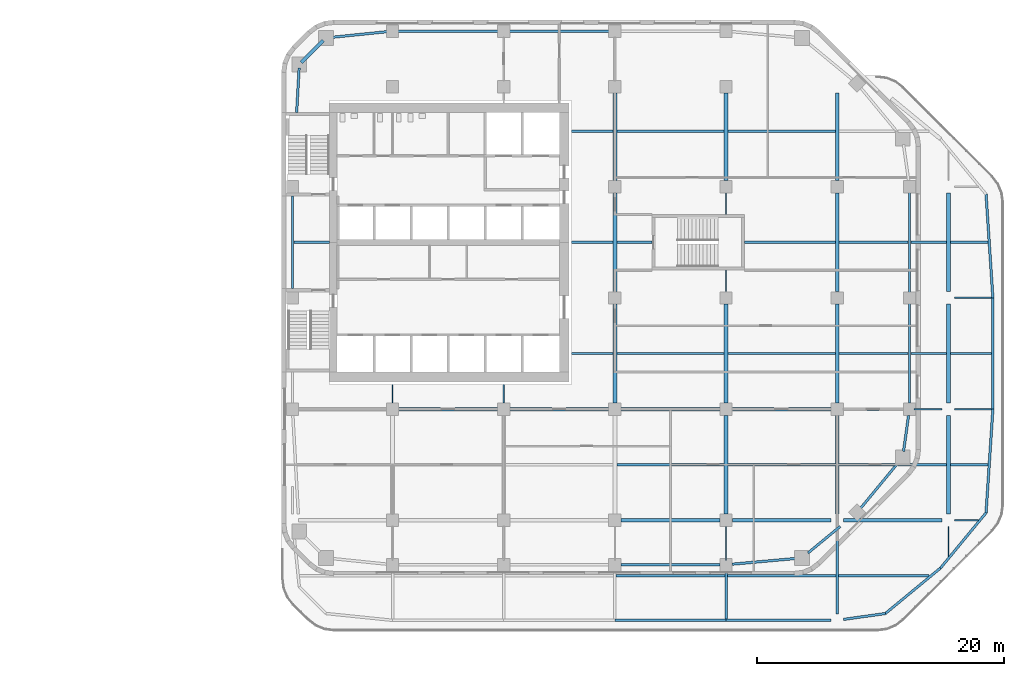
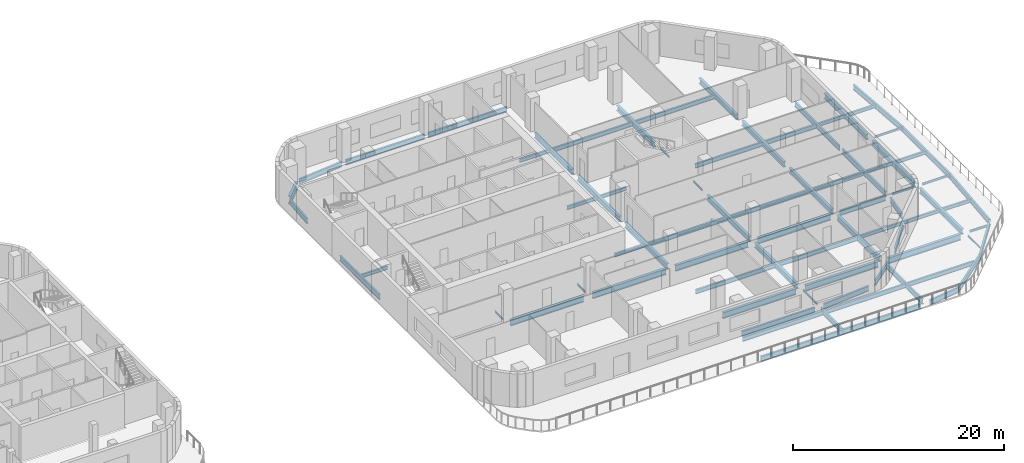
# One storey, part 3 of 15: 78 beams.
"""IFC4 building model written with IfcOpenShell, lengths in metres."""

import ifcopenshell
import ifcopenshell.guid

model = None  # the IFC model being written
_history = None  # IfcOwnerHistory: only IFC2X3 demands one
_inside = {}  # id of a spatial element -> (the spatial element, [elements in it])
_under = {}  # id of a project, library or spatial element -> (it, [spatial elements below it])
_declared = {}  # id of a project -> (the project, [libraries it declares])
_typed = {}  # id of a type object -> (the type object, [elements of that type])
_made_of = {}  # id of a material, layer set ... -> (it, [elements and type objects made of it])


def new_model(schema):
    """Start an empty IFC model of exactly this schema.

    Asked for "IFC4X3", IfcOpenShell would pick the latest addendum, in which some entities
    have other attributes; the version numbers below select the first issue.
    IFC2X3 requires an IfcOwnerHistory on every rooted entity: one is made here for all.
    """
    global model, _history
    if schema == "IFC4X3":
        model = ifcopenshell.file(schema_version=(4, 3, 0, 0))
    else:
        model = ifcopenshell.file(schema=schema)
    _inside.clear()
    _under.clear()
    _declared.clear()
    _typed.clear()
    _made_of.clear()
    _history = None
    if model.schema == "IFC2X3":
        org = make("IfcOrganization", Name="unknown")
        user = make(
            "IfcPersonAndOrganization",
            ThePerson=make("IfcPerson", FamilyName="unknown"),
            TheOrganization=org,
        )
        app = make(
            "IfcApplication",
            ApplicationDeveloper=org,
            Version="unknown",
            ApplicationFullName="unknown",
            ApplicationIdentifier="unknown",
        )
        _history = make(
            "IfcOwnerHistory",
            OwningUser=user,
            OwningApplication=app,
            ChangeAction="ADDED",
            CreationDate=0,
        )
    return model


def make(cls, **values):
    """One entity of the class cls with the attributes given. An attribute that is None is left unset."""
    return model.create_entity(
        cls, **{name: value for name, value in values.items() if value is not None}
    )


def rooted(cls, **values):
    """An entity with a GlobalId (a new one), such as an element, a storey or a relation."""
    return make(cls, GlobalId=ifcopenshell.guid.new(), OwnerHistory=_history, **values)


def si_unit(unit_type, name, prefix=None):
    """IfcSIUnit, for example si_unit("LENGTHUNIT", "METRE", prefix="MILLI")."""
    return make("IfcSIUnit", UnitType=unit_type, Prefix=prefix, Name=name)


def assignment(units):
    """IfcUnitAssignment: the units of a project."""
    return None if units is None else make("IfcUnitAssignment", Units=units)


def point(xyz):
    """IfcCartesianPoint."""
    return None if xyz is None else make("IfcCartesianPoint", Coordinates=xyz)


def direction(xyz):
    """IfcDirection."""
    return None if xyz is None else make("IfcDirection", DirectionRatios=xyz)


def frame(location, z_axis=None, x_axis=None):
    """IfcAxis2Placement3D, a coordinate frame: its origin and axes. An axis left out is left unset."""
    return make(
        "IfcAxis2Placement3D",
        Location=point(location),
        Axis=direction(z_axis),
        RefDirection=direction(x_axis),
    )


def frame_2d(location, x_axis=None):
    """IfcAxis2Placement2D, a coordinate frame in the plane: its origin and x axis."""
    return make(
        "IfcAxis2Placement2D", Location=point(location), RefDirection=direction(x_axis)
    )


def origin():
    """The frame at (0, 0, 0) with its axes left unset."""
    return frame((0.0, 0.0, 0.0))


def origin_2d():
    """The frame at (0, 0) in the plane with its x axis left unset."""
    return frame_2d((0.0, 0.0))


def place(relative_to, where):
    """IfcLocalPlacement: puts the frame where relative to a parent placement (None: the world)."""
    return make(
        "IfcLocalPlacement", PlacementRelTo=relative_to, RelativePlacement=where
    )


def context(
    kind, dimensions, precision=None, world=None, true_north=None, identifier=None
):
    """IfcGeometricRepresentationContext, for example the 3D "Model" context."""
    return make(
        "IfcGeometricRepresentationContext",
        ContextIdentifier=identifier,
        ContextType=kind,
        CoordinateSpaceDimension=dimensions,
        Precision=precision,
        WorldCoordinateSystem=world,
        TrueNorth=true_north,
    )


def subcontext(parent, identifier, kind, view, scale=None):
    """IfcGeometricRepresentationSubContext, for example "Body" below "Model"."""
    return make(
        "IfcGeometricRepresentationSubContext",
        ContextIdentifier=identifier,
        ContextType=kind,
        ParentContext=parent,
        TargetScale=scale,
        TargetView=view,
    )


def project(units=None, contexts=None):
    """IfcProject with its units and contexts."""
    return rooted(
        "IfcProject",
        Name="project",
        RepresentationContexts=contexts,
        UnitsInContext=assignment(units),
    )


def spatial(cls, under=None, at=None, **own):
    """A site, building, storey or space (cls), placed at a placement, below another one or the project."""
    s = rooted(cls, ObjectPlacement=at, **own)
    if under is not None:
        _under.setdefault(under.id(), (under, []))[1].append(s)
    return s


def profile(cls, at=None, kind="AREA", **sizes):
    """A parametric profile (cls). Its sizes go by their IFC names, for example OverallWidth=200.0."""
    return make(cls, ProfileType=kind, Position=at, **sizes)


def i_section(**sizes):
    """IfcIShapeProfileDef."""
    return profile("IfcIShapeProfileDef", **sizes)


def extrude(swept, where, along, depth):
    """IfcExtrudedAreaSolid: the profile swept, set in the frame where, extruded along a direction by depth."""
    return make(
        "IfcExtrudedAreaSolid",
        SweptArea=swept,
        Position=where,
        ExtrudedDirection=direction(along),
        Depth=depth,
    )


def shape(context_of_items, identifier, shape_type, items):
    """IfcShapeRepresentation: the items that make up one representation, for example the "Body"."""
    return make(
        "IfcShapeRepresentation",
        ContextOfItems=context_of_items,
        RepresentationIdentifier=identifier,
        RepresentationType=shape_type,
        Items=items,
    )


def material(Name=None, Category=None):
    """IfcMaterial."""
    return make("IfcMaterial", Name=Name, Category=Category)


def material_profile(
    of_material, cross_section, Name=None, Category=None, Priority=None
):
    """IfcMaterialProfile: a cross section and its material."""
    return make(
        "IfcMaterialProfile",
        Name=Name,
        Material=of_material,
        Profile=cross_section,
        Priority=Priority,
        Category=Category,
    )


def profile_set(profiles, Name=None, composite=None):
    """IfcMaterialProfileSet."""
    return make(
        "IfcMaterialProfileSet",
        Name=Name,
        MaterialProfiles=profiles,
        CompositeProfile=composite,
    )


def made_of(thing, what):
    """Note that an element or type object is made of a material, layer set ...; save() writes the relation."""
    if what is not None:
        _made_of.setdefault(what.id(), (what, []))[1].append(thing)
    return thing


def type_object(cls, material=None, **own):
    """A type object (cls), such as IfcWallType, which elements share."""
    return made_of(rooted(cls, **own), material)


def element(
    cls,
    number,
    at=None,
    inside=None,
    cuts=None,
    type_object=None,
    material=None,
    context=None,
    identifier="Body",
    shape_type=None,
    held_by="IfcProductDefinitionShape",
    body=None,
    shapes=None,
    **own,
):
    """One element of the class cls, such as IfcWall. Its Tag is "e" and its number.

    at: its placement. inside: the storey or other place that contains it. cuts: it is an
    opening in that element (IfcRelVoidsElement). A single representation is given by context,
    identifier, shape_type and body (its items); several are given by shapes. held_by: the class
    of the entity that holds the representations. save() writes the other relations.
    """
    e = rooted(cls, Tag="e%d" % number, ObjectPlacement=at, **own)
    if body is not None:
        shapes = [shape(context, identifier, shape_type, body)]
    if shapes is not None:
        e.Representation = make(held_by, Representations=shapes)
    if inside is not None:
        _inside.setdefault(inside.id(), (inside, []))[1].append(e)
    if cuts is not None:
        rooted(
            "IfcRelVoidsElement", RelatingBuildingElement=cuts, RelatedOpeningElement=e
        )
    if type_object is not None:
        _typed.setdefault(type_object.id(), (type_object, []))[1].append(e)
    return made_of(e, material)


def aggregate(whole, parts):
    """IfcRelAggregates: a whole, such as a stair, and the parts it consists of."""
    return rooted("IfcRelAggregates", RelatingObject=whole, RelatedObjects=parts)


def save(model, path):
    """Write the relations noted so far, then the file.

    IfcRelAggregates (storeys below a building ...), IfcRelContainedInSpatialStructure (elements
    in a storey), IfcRelDefinesByType, IfcRelAssociatesMaterial and IfcRelDeclares: one each for
    every whole, place, type object, material and project.
    """
    for whole, parts in _under.values():
        aggregate(whole, parts)
    for where, things in _inside.values():
        rooted(
            "IfcRelContainedInSpatialStructure",
            RelatedElements=things,
            RelatingStructure=where,
        )
    for kind, things in _typed.values():
        rooted("IfcRelDefinesByType", RelatedObjects=things, RelatingType=kind)
    for what, things in _made_of.values():
        rooted("IfcRelAssociatesMaterial", RelatedObjects=things, RelatingMaterial=what)
    for by, libraries in _declared.values():
        rooted("IfcRelDeclares", RelatingContext=by, RelatedDefinitions=libraries)
    model.write(path)


model = new_model("IFC4")

# Units and contexts
model_context = context("Model", 3, precision=1e-05, world=origin(), true_north=direction((0.0, 1.0)))
body_context = subcontext(model_context, "Body", "Model", "MODEL_VIEW")
ifc_project = project(units=[si_unit("LENGTHUNIT", "METRE"), si_unit("AREAUNIT", "SQUARE_METRE"), si_unit("VOLUMEUNIT", "CUBIC_METRE"), si_unit("PLANEANGLEUNIT", "RADIAN"), si_unit("MASSUNIT", "GRAM", prefix="KILO")], contexts=[model_context])

# Site, building, storey
site_placement = place(None, origin())
site = spatial("IfcSite", under=ifc_project, at=site_placement, CompositionType="ELEMENT")
building_placement = place(site_placement, origin())
building = spatial("IfcBuilding", under=site, at=building_placement, Name="Cinnabar Reach Civic Tower", CompositionType="ELEMENT")
storey_placement = place(building_placement, frame((0.0, 0.0, 100.0)))
storey = spatial("IfcBuildingStorey", under=building, at=storey_placement, Name="L23", CompositionType="ELEMENT", Elevation=100.0)

# Beams
ifc_material = material(Name="Steel Q355B", Category="steel")
ifc_material_profile_1 = material_profile(ifc_material, i_section(OverallWidth=0.302, OverallDepth=0.594, WebThickness=0.014, FlangeThickness=0.023, FilletRadius=0.016, at=origin_2d()), Name="HM594x302x14x23")
ifc_profile_set_1 = profile_set([ifc_material_profile_1], Name="Steel Q355B")
beam_type_1 = type_object("IfcBeamType", Name="HM594x302x14x23 beam R 180", PredefinedType="BEAM", material=ifc_profile_set_1)
for number, where, z_axis, x_axis, name in (
    (1, (27.0, 18.502, -0.447), (0.0, 1.0, 0.0), (-1.0, 0.0, 0.0), "Girder T1 L23 12"),
    (2, (27.0, 27.502, -0.447), (0.0, 1.0, 0.0), (-1.0, 0.0, 0.0), "Girder T1 L23 13"),
):
    element("IfcBeam", number, at=place(storey_placement, frame(where, z_axis=z_axis, x_axis=x_axis)), inside=storey, type_object=beam_type_1, Name=name, PredefinedType="BEAM", context=body_context, shape_type="SweptSolid", body=[
        extrude(i_section(OverallWidth=0.302, OverallDepth=0.594, WebThickness=0.014, FlangeThickness=0.023, FilletRadius=0.016, at=origin_2d()), origin(), (0.0, 0.0, 1.0), 7.996),
    ])
beam_1_placement = place(storey_placement, frame((27.0, 36.502, -0.447), z_axis=(0.0, 1.0, 0.0), x_axis=(-1.0, 0.0, 0.0)))
element("IfcBeam", 3, at=beam_1_placement, inside=storey, type_object=beam_type_1, Name="Girder T1 L23 14", PredefinedType="BEAM", context=body_context, shape_type="SweptSolid", body=[
    extrude(i_section(OverallWidth=0.302, OverallDepth=0.594, WebThickness=0.014, FlangeThickness=0.023, FilletRadius=0.016, at=origin_2d()), origin(), (0.0, 0.0, 1.0), 7.096),
])
for number, where, z_axis, x_axis, name in (
    (4, (36.0, 9.502, -0.447), (0.0, 1.0, 0.0), (-1.0, 0.0, 0.0), "Girder T1 L23 17"),
    (5, (36.0, 18.502, -0.447), (0.0, 1.0, 0.0), (-1.0, 0.0, 0.0), "Girder T1 L23 18"),
):
    element("IfcBeam", number, at=place(storey_placement, frame(where, z_axis=z_axis, x_axis=x_axis)), inside=storey, type_object=beam_type_1, Name=name, PredefinedType="BEAM", context=body_context, shape_type="SweptSolid", body=[
        extrude(i_section(OverallWidth=0.302, OverallDepth=0.594, WebThickness=0.014, FlangeThickness=0.023, FilletRadius=0.016, at=origin_2d()), origin(), (0.0, 0.0, 1.0), 7.996),
    ])
beam_2_placement = place(storey_placement, frame((36.0, 36.502, -0.447), z_axis=(0.0, 1.0, 0.0), x_axis=(-1.0, 0.0, 0.0)))
element("IfcBeam", 6, at=beam_2_placement, inside=storey, type_object=beam_type_1, Name="Girder T1 L23 21", PredefinedType="BEAM", context=body_context, shape_type="SweptSolid", body=[
    extrude(i_section(OverallWidth=0.302, OverallDepth=0.594, WebThickness=0.014, FlangeThickness=0.023, FilletRadius=0.016, at=origin_2d()), origin(), (0.0, 0.0, 1.0), 7.096),
])
for number, where, z_axis, x_axis, name in (
    (7, (45.0, 9.502, -0.447), (0.0, 1.0, 0.0), (-1.0, 0.0, 0.0), "Girder T1 L23 23"),
    (8, (45.0, 18.502, -0.447), (0.0, 1.0, 0.0), (-1.0, 0.0, 0.0), "Girder T1 L23 24"),
    (9, (45.0, 27.502, -0.447), (0.0, 1.0, 0.0), (-1.0, 0.0, 0.0), "Girder T1 L23 25"),
):
    element("IfcBeam", number, at=place(storey_placement, frame(where, z_axis=z_axis, x_axis=x_axis)), inside=storey, type_object=beam_type_1, Name=name, PredefinedType="BEAM", context=body_context, shape_type="SweptSolid", body=[
        extrude(i_section(OverallWidth=0.302, OverallDepth=0.594, WebThickness=0.014, FlangeThickness=0.023, FilletRadius=0.016, at=origin_2d()), origin(), (0.0, 0.0, 1.0), 7.996),
    ])
beam_3_placement = place(storey_placement, frame((45.0, 36.502, -0.447), z_axis=(0.0, 1.0, 0.0), x_axis=(-1.0, 0.0, 0.0)))
element("IfcBeam", 10, at=beam_3_placement, inside=storey, type_object=beam_type_1, Name="Girder T1 L23 26", PredefinedType="BEAM", context=body_context, shape_type="SweptSolid", body=[
    extrude(i_section(OverallWidth=0.302, OverallDepth=0.594, WebThickness=0.014, FlangeThickness=0.023, FilletRadius=0.016, at=origin_2d()), origin(), (0.0, 0.0, 1.0), 7.096),
])
for number, where, z_axis, x_axis, name in (
    (11, (54.0, 9.502, -0.447), (0.0, 1.0, 0.0), (-1.0, 0.0, 0.0), "Girder T1 L23 28"),
    (12, (54.0, 18.502, -0.447), (0.0, 1.0, 0.0), (-1.0, 0.0, 0.0), "Girder T1 L23 29"),
    (13, (54.0, 27.502, -0.447), (0.0, 1.0, 0.0), (-1.0, 0.0, 0.0), "Girder T1 L23 30"),
):
    element("IfcBeam", number, at=place(storey_placement, frame(where, z_axis=z_axis, x_axis=x_axis)), inside=storey, type_object=beam_type_1, Name=name, PredefinedType="BEAM", context=body_context, shape_type="SweptSolid", body=[
        extrude(i_section(OverallWidth=0.302, OverallDepth=0.594, WebThickness=0.014, FlangeThickness=0.023, FilletRadius=0.016, at=origin_2d()), origin(), (0.0, 0.0, 1.0), 7.996),
    ])
ifc_material_profile_2 = material_profile(ifc_material, i_section(OverallWidth=0.099, OverallDepth=0.198, WebThickness=0.0045, FlangeThickness=0.007, FilletRadius=0.013, at=origin_2d()), Name="HN200x100x5.5x8")
ifc_profile_set_2 = profile_set([ifc_material_profile_2], Name="Steel Q355B")
beam_type_2 = type_object("IfcBeamType", Name="HN200x100x5.5x8 beam R 180", PredefinedType="BEAM", material=ifc_profile_set_2)
for number, where, z_axis, x_axis, name in (
    (14, (9.0, 18.502, -0.249), (0.0, 1.0, 0.0), (-1.0, 0.0, 0.0), "Girder T1 L23 4"),
    (15, (18.0, 18.502, -0.249), (0.0, 1.0, 0.0), (-1.0, 0.0, 0.0), "Girder T1 L23 8"),
):
    element("IfcBeam", number, at=place(storey_placement, frame(where, z_axis=z_axis, x_axis=x_axis)), inside=storey, type_object=beam_type_2, Name=name, PredefinedType="BEAM", context=body_context, shape_type="SweptSolid", body=[
        extrude(i_section(OverallWidth=0.099, OverallDepth=0.198, WebThickness=0.0045, FlangeThickness=0.007, FilletRadius=0.013, at=origin_2d()), origin(), (0.0, 0.0, 1.0), 1.496),
    ])
beam_4_placement = place(storey_placement, frame((36.0, 5.752, -0.249), z_axis=(0.0, 1.0, 0.0), x_axis=(-1.0, 0.0, 0.0)))
element("IfcBeam", 16, at=beam_4_placement, inside=storey, type_object=beam_type_2, Name="Girder T1 L23 16", PredefinedType="BEAM", context=body_context, shape_type="SweptSolid", body=[
    extrude(i_section(OverallWidth=0.099, OverallDepth=0.198, WebThickness=0.0045, FlangeThickness=0.007, FilletRadius=0.013, at=origin_2d()), origin(), (0.0, 0.0, 1.0), 2.746),
])
for number, where, z_axis, x_axis, name in (
    (17, (36.0, 27.502, -0.249), (0.0, 1.0, 0.0), (-1.0, 0.0, 0.0), "Girder T1 L23 19"),
    (18, (36.0, 33.752, -0.249), (0.0, 1.0, 0.0), (-1.0, 0.0, 0.0), "Girder T1 L23 20"),
):
    element("IfcBeam", number, at=place(storey_placement, frame(where, z_axis=z_axis, x_axis=x_axis)), inside=storey, type_object=beam_type_2, Name=name, PredefinedType="BEAM", context=body_context, shape_type="SweptSolid", body=[
        extrude(i_section(OverallWidth=0.099, OverallDepth=0.198, WebThickness=0.0045, FlangeThickness=0.007, FilletRadius=0.013, at=origin_2d()), origin(), (0.0, 0.0, 1.0), 1.746),
    ])
beam_5_placement = place(storey_placement, frame((54.0, 6.0682, -0.249), z_axis=(0.0, 1.0, 0.0), x_axis=(-1.0, 0.0, 0.0)))
element("IfcBeam", 19, at=beam_5_placement, inside=storey, type_object=beam_type_2, Name="Girder T1 L23 27", PredefinedType="BEAM", context=body_context, shape_type="SweptSolid", body=[
    extrude(i_section(OverallWidth=0.099, OverallDepth=0.198, WebThickness=0.0045, FlangeThickness=0.007, FilletRadius=0.013, at=origin_2d()), origin(), (0.0, 0.0, 1.0), 2.4298),
])
ifc_material_profile_3 = material_profile(ifc_material, i_section(OverallWidth=0.124, OverallDepth=0.248, WebThickness=0.005, FlangeThickness=0.008, FilletRadius=0.013, at=origin_2d()), Name="HN250x125x6x9")
ifc_profile_set_3 = profile_set([ifc_material_profile_3], Name="Steel Q355B")
beam_type_3 = type_object("IfcBeamType", Name="HN250x125x6x9 beam R 180", PredefinedType="BEAM", material=ifc_profile_set_3)
beam_6_placement = place(storey_placement, frame((54.502, 9.0, -0.274), z_axis=(1.0, 0.0, 0.0), x_axis=(0.0, 1.0, 0.0)))
element("IfcBeam", 20, at=beam_6_placement, inside=storey, type_object=beam_type_3, Name="Girder T1 L23 7", PredefinedType="BEAM", context=body_context, shape_type="SweptSolid", body=[
    extrude(i_section(OverallWidth=0.124, OverallDepth=0.248, WebThickness=0.005, FlangeThickness=0.008, FilletRadius=0.013, at=origin_2d()), origin(), (0.0, 0.0, 1.0), 1.9162),
])
beam_7_placement = place(storey_placement, frame((51.202, 18.0, -0.274), z_axis=(1.0, 0.0, 0.0), x_axis=(0.0, 1.0, 0.0)))
element("IfcBeam", 21, at=beam_7_placement, inside=storey, type_object=beam_type_3, Name="Girder T1 L23 14", PredefinedType="BEAM", context=body_context, shape_type="SweptSolid", body=[
    extrude(i_section(OverallWidth=0.124, OverallDepth=0.248, WebThickness=0.005, FlangeThickness=0.008, FilletRadius=0.013, at=origin_2d()), origin(), (0.0, 0.0, 1.0), 2.296),
])
for number, where, z_axis, x_axis, name in (
    (22, (54.502, 18.0, -0.274), (1.0, 0.0, 0.0), (0.0, 1.0, 0.0), "Girder T1 L23 15"),
    (23, (54.502, 27.0, -0.274), (1.0, 0.0, 0.0), (0.0, 1.0, 0.0), "Girder T1 L23 16"),
):
    element("IfcBeam", number, at=place(storey_placement, frame(where, z_axis=z_axis, x_axis=x_axis)), inside=storey, type_object=beam_type_3, Name=name, PredefinedType="BEAM", context=body_context, shape_type="SweptSolid", body=[
        extrude(i_section(OverallWidth=0.124, OverallDepth=0.248, WebThickness=0.005, FlangeThickness=0.008, FilletRadius=0.013, at=origin_2d()), origin(), (0.0, 0.0, 1.0), 2.9958),
    ])
ifc_material_profile_4 = material_profile(ifc_material, i_section(OverallWidth=0.199, OverallDepth=0.396, WebThickness=0.007, FlangeThickness=0.011, FilletRadius=0.013, at=origin_2d()), Name="HN396x199x7x11")
ifc_profile_set_4 = profile_set([ifc_material_profile_4], Name="Steel Q355B")
beam_type_4 = type_object("IfcBeamType", Name="HN396x199x7x11 beam R 180", PredefinedType="BEAM", material=ifc_profile_set_4)
beam_8_placement = place(storey_placement, frame((45.153, 13.5, -0.348), z_axis=(1.0, 0.0, 0.0), x_axis=(0.0, 1.0, 0.0)))
element("IfcBeam", 24, at=beam_8_placement, inside=storey, type_object=beam_type_4, Name="Secondary beam T1 L23 12", PredefinedType="BEAM", context=body_context, shape_type="SweptSolid", body=[
    extrude(i_section(OverallWidth=0.199, OverallDepth=0.396, WebThickness=0.007, FlangeThickness=0.011, FilletRadius=0.013, at=origin_2d()), origin(), (0.0, 0.0, 1.0), 4.5152),
])
beam_9_placement = place(storey_placement, frame((49.9327, 13.5, -0.348), z_axis=(1.0, 0.0, 0.0), x_axis=(0.0, 1.0, 0.0)))
element("IfcBeam", 25, at=beam_9_placement, inside=storey, type_object=beam_type_4, Name="Secondary beam T1 L23 13", PredefinedType="BEAM", context=body_context, shape_type="SweptSolid", body=[
    extrude(i_section(OverallWidth=0.199, OverallDepth=0.396, WebThickness=0.007, FlangeThickness=0.011, FilletRadius=0.013, at=origin_2d()), origin(), (0.0, 0.0, 1.0), 3.9143),
])
beam_10_placement = place(storey_placement, frame((54.153, 13.5, -0.348), z_axis=(1.0, 0.0, 0.0), x_axis=(0.0, 1.0, 0.0)))
element("IfcBeam", 26, at=beam_10_placement, inside=storey, type_object=beam_type_4, Name="Secondary beam T1 L23 14", PredefinedType="BEAM", context=body_context, shape_type="SweptSolid", body=[
    extrude(i_section(OverallWidth=0.199, OverallDepth=0.396, WebThickness=0.007, FlangeThickness=0.011, FilletRadius=0.013, at=origin_2d()), origin(), (0.0, 0.0, 1.0), 3.0484),
])
beam_11_placement = place(storey_placement, frame((23.502, 22.5, -0.348), z_axis=(1.0, 0.0, 0.0), x_axis=(0.0, 1.0, 0.0)))
element("IfcBeam", 27, at=beam_11_placement, inside=storey, type_object=beam_type_4, Name="Secondary beam T1 L23 15", PredefinedType="BEAM", context=body_context, shape_type="SweptSolid", body=[
    extrude(i_section(OverallWidth=0.199, OverallDepth=0.396, WebThickness=0.007, FlangeThickness=0.011, FilletRadius=0.013, at=origin_2d()), origin(), (0.0, 0.0, 1.0), 3.345),
])
beam_12_placement = place(storey_placement, frame((50.952, 22.5, -0.348), z_axis=(1.0, 0.0, 0.0), x_axis=(0.0, 1.0, 0.0)))
element("IfcBeam", 28, at=beam_12_placement, inside=storey, type_object=beam_type_4, Name="Secondary beam T1 L23 19", PredefinedType="BEAM", context=body_context, shape_type="SweptSolid", body=[
    extrude(i_section(OverallWidth=0.199, OverallDepth=0.396, WebThickness=0.007, FlangeThickness=0.011, FilletRadius=0.013, at=origin_2d()), origin(), (0.0, 0.0, 1.0), 2.895),
])
beam_13_placement = place(storey_placement, frame((54.153, 22.5, -0.348), z_axis=(1.0, 0.0, 0.0), x_axis=(0.0, 1.0, 0.0)))
element("IfcBeam", 29, at=beam_13_placement, inside=storey, type_object=beam_type_4, Name="Secondary beam T1 L23 20", PredefinedType="BEAM", context=body_context, shape_type="SweptSolid", body=[
    extrude(i_section(OverallWidth=0.199, OverallDepth=0.396, WebThickness=0.007, FlangeThickness=0.011, FilletRadius=0.013, at=origin_2d()), origin(), (0.0, 0.0, 1.0), 3.345),
])
beam_14_placement = place(storey_placement, frame((1.002, 31.5, -0.348), z_axis=(1.0, 0.0, 0.0), x_axis=(0.0, 1.0, 0.0)))
element("IfcBeam", 30, at=beam_14_placement, inside=storey, type_object=beam_type_4, Name="Secondary beam T1 L23 21", PredefinedType="BEAM", context=body_context, shape_type="SweptSolid", body=[
    extrude(i_section(OverallWidth=0.199, OverallDepth=0.396, WebThickness=0.007, FlangeThickness=0.011, FilletRadius=0.013, at=origin_2d()), origin(), (0.0, 0.0, 1.0), 2.896),
])
beam_15_placement = place(storey_placement, frame((23.502, 31.5, -0.348), z_axis=(1.0, 0.0, 0.0), x_axis=(0.0, 1.0, 0.0)))
element("IfcBeam", 31, at=beam_15_placement, inside=storey, type_object=beam_type_4, Name="Secondary beam T1 L23 22", PredefinedType="BEAM", context=body_context, shape_type="SweptSolid", body=[
    extrude(i_section(OverallWidth=0.199, OverallDepth=0.396, WebThickness=0.007, FlangeThickness=0.011, FilletRadius=0.013, at=origin_2d()), origin(), (0.0, 0.0, 1.0), 3.345),
])
beam_16_placement = place(storey_placement, frame((27.153, 31.5, -0.348), z_axis=(1.0, 0.0, 0.0), x_axis=(0.0, 1.0, 0.0)))
element("IfcBeam", 32, at=beam_16_placement, inside=storey, type_object=beam_type_4, Name="Secondary beam T1 L23 23", PredefinedType="BEAM", context=body_context, shape_type="SweptSolid", body=[
    extrude(i_section(OverallWidth=0.199, OverallDepth=0.396, WebThickness=0.007, FlangeThickness=0.011, FilletRadius=0.013, at=origin_2d()), origin(), (0.0, 0.0, 1.0), 2.845),
])
beam_17_placement = place(storey_placement, frame((50.952, 31.5, -0.348), z_axis=(1.0, 0.0, 0.0), x_axis=(0.0, 1.0, 0.0)))
element("IfcBeam", 33, at=beam_17_placement, inside=storey, type_object=beam_type_4, Name="Secondary beam T1 L23 26", PredefinedType="BEAM", context=body_context, shape_type="SweptSolid", body=[
    extrude(i_section(OverallWidth=0.199, OverallDepth=0.396, WebThickness=0.007, FlangeThickness=0.011, FilletRadius=0.013, at=origin_2d()), origin(), (0.0, 0.0, 1.0), 2.895),
])
beam_18_placement = place(storey_placement, frame((54.153, 31.5, -0.348), z_axis=(1.0, 0.0, 0.0), x_axis=(0.0, 1.0, 0.0)))
element("IfcBeam", 34, at=beam_18_placement, inside=storey, type_object=beam_type_4, Name="Secondary beam T1 L23 27", PredefinedType="BEAM", context=body_context, shape_type="SweptSolid", body=[
    extrude(i_section(OverallWidth=0.199, OverallDepth=0.396, WebThickness=0.007, FlangeThickness=0.011, FilletRadius=0.013, at=origin_2d()), origin(), (0.0, 0.0, 1.0), 3.0484),
])
beam_19_placement = place(storey_placement, frame((23.502, 40.5, -0.348), z_axis=(1.0, 0.0, 0.0), x_axis=(0.0, 1.0, 0.0)))
element("IfcBeam", 35, at=beam_19_placement, inside=storey, type_object=beam_type_4, Name="Secondary beam T1 L23 28", PredefinedType="BEAM", context=body_context, shape_type="SweptSolid", body=[
    extrude(i_section(OverallWidth=0.199, OverallDepth=0.396, WebThickness=0.007, FlangeThickness=0.011, FilletRadius=0.013, at=origin_2d()), origin(), (0.0, 0.0, 1.0), 3.345),
])
ifc_material_profile_5 = material_profile(ifc_material, i_section(OverallWidth=0.199, OverallDepth=0.496, WebThickness=0.009, FlangeThickness=0.014, FilletRadius=0.016, at=origin_2d()), Name="HN496x199x9x14")
ifc_profile_set_5 = profile_set([ifc_material_profile_5], Name="Steel Q355B")
beam_type_5 = type_object("IfcBeamType", Name="HN496x199x9x14 beam R 180", PredefinedType="BEAM", material=ifc_profile_set_5)
for number, where, z_axis, x_axis, name in (
    (36, (27.1015, 4.5, -0.398), (1.0, 0.0, 0.0), (0.0, 1.0, 0.0), "Secondary beam T1 L23 4"),
    (37, (36.1015, 4.5, -0.398), (1.0, 0.0, 0.0), (0.0, 1.0, 0.0), "Secondary beam T1 L23 5"),
):
    element("IfcBeam", number, at=place(storey_placement, frame(where, z_axis=z_axis, x_axis=x_axis)), inside=storey, type_object=beam_type_5, Name=name, PredefinedType="BEAM", context=body_context, shape_type="SweptSolid", body=[
        extrude(i_section(OverallWidth=0.199, OverallDepth=0.496, WebThickness=0.009, FlangeThickness=0.014, FilletRadius=0.016, at=origin_2d()), origin(), (0.0, 0.0, 1.0), 8.797),
    ])
beam_20_placement = place(storey_placement, frame((45.1015, 4.5, -0.398), z_axis=(1.0, 0.0, 0.0), x_axis=(0.0, 1.0, 0.0)))
element("IfcBeam", 38, at=beam_20_placement, inside=storey, type_object=beam_type_5, Name="Secondary beam T1 L23 6", PredefinedType="BEAM", context=body_context, shape_type="SweptSolid", body=[
    extrude(i_section(OverallWidth=0.199, OverallDepth=0.496, WebThickness=0.009, FlangeThickness=0.014, FilletRadius=0.016, at=origin_2d()), origin(), (0.0, 0.0, 1.0), 7.3303),
])
for number, where, z_axis, x_axis, name in (
    (39, (27.153, 13.5, -0.398), (1.0, 0.0, 0.0), (0.0, 1.0, 0.0), "Secondary beam T1 L23 10"),
    (40, (36.153, 13.5, -0.398), (1.0, 0.0, 0.0), (0.0, 1.0, 0.0), "Secondary beam T1 L23 11"),
    (41, (27.153, 22.5, -0.398), (1.0, 0.0, 0.0), (0.0, 1.0, 0.0), "Secondary beam T1 L23 16"),
    (42, (36.153, 22.5, -0.398), (1.0, 0.0, 0.0), (0.0, 1.0, 0.0), "Secondary beam T1 L23 17"),
):
    element("IfcBeam", number, at=place(storey_placement, frame(where, z_axis=z_axis, x_axis=x_axis)), inside=storey, type_object=beam_type_5, Name=name, PredefinedType="BEAM", context=body_context, shape_type="SweptSolid", body=[
        extrude(i_section(OverallWidth=0.199, OverallDepth=0.496, WebThickness=0.009, FlangeThickness=0.014, FilletRadius=0.016, at=origin_2d()), origin(), (0.0, 0.0, 1.0), 8.694),
    ])
beam_21_placement = place(storey_placement, frame((45.153, 22.5, -0.398), z_axis=(1.0, 0.0, 0.0), x_axis=(0.0, 1.0, 0.0)))
element("IfcBeam", 43, at=beam_21_placement, inside=storey, type_object=beam_type_5, Name="Secondary beam T1 L23 18", PredefinedType="BEAM", context=body_context, shape_type="SweptSolid", body=[
    extrude(i_section(OverallWidth=0.199, OverallDepth=0.496, WebThickness=0.009, FlangeThickness=0.014, FilletRadius=0.016, at=origin_2d()), origin(), (0.0, 0.0, 1.0), 5.595),
])
beam_22_placement = place(storey_placement, frame((37.502, 31.5, -0.398), z_axis=(1.0, 0.0, 0.0), x_axis=(0.0, 1.0, 0.0)))
element("IfcBeam", 44, at=beam_22_placement, inside=storey, type_object=beam_type_5, Name="Secondary beam T1 L23 24", PredefinedType="BEAM", context=body_context, shape_type="SweptSolid", body=[
    extrude(i_section(OverallWidth=0.199, OverallDepth=0.496, WebThickness=0.009, FlangeThickness=0.014, FilletRadius=0.016, at=origin_2d()), origin(), (0.0, 0.0, 1.0), 7.345),
])
beam_23_placement = place(storey_placement, frame((45.153, 31.5, -0.398), z_axis=(1.0, 0.0, 0.0), x_axis=(0.0, 1.0, 0.0)))
element("IfcBeam", 45, at=beam_23_placement, inside=storey, type_object=beam_type_5, Name="Secondary beam T1 L23 25", PredefinedType="BEAM", context=body_context, shape_type="SweptSolid", body=[
    extrude(i_section(OverallWidth=0.199, OverallDepth=0.496, WebThickness=0.009, FlangeThickness=0.014, FilletRadius=0.016, at=origin_2d()), origin(), (0.0, 0.0, 1.0), 5.595),
])
for number, where, z_axis, x_axis, name in (
    (46, (27.153, 40.5, -0.398), (1.0, 0.0, 0.0), (0.0, 1.0, 0.0), "Secondary beam T1 L23 29"),
    (47, (36.153, 40.5, -0.398), (1.0, 0.0, 0.0), (0.0, 1.0, 0.0), "Secondary beam T1 L23 30"),
):
    element("IfcBeam", number, at=place(storey_placement, frame(where, z_axis=z_axis, x_axis=x_axis)), inside=storey, type_object=beam_type_5, Name=name, PredefinedType="BEAM", context=body_context, shape_type="SweptSolid", body=[
        extrude(i_section(OverallWidth=0.199, OverallDepth=0.496, WebThickness=0.009, FlangeThickness=0.014, FilletRadius=0.016, at=origin_2d()), origin(), (0.0, 0.0, 1.0), 8.694),
    ])
ifc_material_profile_6 = material_profile(ifc_material, i_section(OverallWidth=0.199, OverallDepth=0.596, WebThickness=0.01, FlangeThickness=0.015, FilletRadius=0.016, at=origin_2d()), Name="HN596x199x10x15")
ifc_profile_set_6 = profile_set([ifc_material_profile_6], Name="Steel Q355B")
beam_type_6 = type_object("IfcBeamType", Name="HN596x199x10x15 beam R 180", PredefinedType="BEAM", material=ifc_profile_set_6)
beam_24_placement = place(storey_placement, frame((45.502, 18.0, -0.448), z_axis=(1.0, 0.0, 0.0), x_axis=(0.0, 1.0, 0.0)))
element("IfcBeam", 48, at=beam_24_placement, inside=storey, type_object=beam_type_6, Name="Girder T1 L23 13", PredefinedType="BEAM", context=body_context, shape_type="SweptSolid", body=[
    extrude(i_section(OverallWidth=0.199, OverallDepth=0.596, WebThickness=0.01, FlangeThickness=0.015, FilletRadius=0.016, at=origin_2d()), origin(), (0.0, 0.0, 1.0), 4.996),
])
beam_25_placement = place(storey_placement, frame((36.0, 1.002, -0.448), z_axis=(0.0, 1.0, 0.0), x_axis=(-1.0, 0.0, 0.0)))
element("IfcBeam", 49, at=beam_25_placement, inside=storey, type_object=beam_type_6, Name="Girder T1 L23 15", PredefinedType="BEAM", context=body_context, shape_type="SweptSolid", body=[
    extrude(i_section(OverallWidth=0.199, OverallDepth=0.596, WebThickness=0.01, FlangeThickness=0.015, FilletRadius=0.016, at=origin_2d()), origin(), (0.0, 0.0, 1.0), 4.046),
])
beam_26_placement = place(storey_placement, frame((45.0, 1.402, -0.448), z_axis=(0.0, 1.0, 0.0), x_axis=(-1.0, 0.0, 0.0)))
element("IfcBeam", 50, at=beam_26_placement, inside=storey, type_object=beam_type_6, Name="Girder T1 L23 22", PredefinedType="BEAM", context=body_context, shape_type="SweptSolid", body=[
    extrude(i_section(OverallWidth=0.199, OverallDepth=0.596, WebThickness=0.01, FlangeThickness=0.015, FilletRadius=0.016, at=origin_2d()), origin(), (0.0, 0.0, 1.0), 6.7712),
])
ifc_material_profile_7 = material_profile(ifc_material, i_section(OverallWidth=0.2, OverallDepth=0.6, WebThickness=0.011, FlangeThickness=0.017, FilletRadius=0.016, at=origin_2d()), Name="HN600x200x11x17")
ifc_profile_set_7 = profile_set([ifc_material_profile_7], Name="Steel Q355B")
beam_type_7 = type_object("IfcBeamType", Name="HN600x200x11x17 beam R 180", PredefinedType="BEAM", material=ifc_profile_set_7)
beam_27_placement = place(storey_placement, frame((27.502, 5.4, -0.45), z_axis=(1.0, 0.0, 0.0), x_axis=(0.0, 1.0, 0.0)))
element("IfcBeam", 51, at=beam_27_placement, inside=storey, type_object=beam_type_7, Name="Edge beam T1 L23 4", PredefinedType="BEAM", context=body_context, shape_type="SweptSolid", body=[
    extrude(i_section(OverallWidth=0.2, OverallDepth=0.6, WebThickness=0.011, FlangeThickness=0.017, FilletRadius=0.016, at=origin_2d()), origin(), (0.0, 0.0, 1.0), 7.996),
])
beam_28_placement = place(storey_placement, frame((36.502, 5.4452, -0.45), z_axis=(0.995979069281, 0.089586235294, 0.0), x_axis=(-0.089586235294, 0.995979069281, 0.0)))
element("IfcBeam", 52, at=beam_28_placement, inside=storey, type_object=beam_type_7, Name="Edge beam T1 L23 5", PredefinedType="BEAM", context=body_context, shape_type="SweptSolid", body=[
    extrude(i_section(OverallWidth=0.2, OverallDepth=0.6, WebThickness=0.011, FlangeThickness=0.017, FilletRadius=0.016, at=origin_2d()), origin(), (0.0, 0.0, 1.0), 5.1849),
])
beam_29_placement = place(storey_placement, frame((42.6301, 6.3507, -0.45), z_axis=(0.771434733847, 0.636308456186, 0.0), x_axis=(-0.636308456186, 0.771434733847, 0.0)))
element("IfcBeam", 53, at=beam_29_placement, inside=storey, type_object=beam_type_7, Name="Edge beam T1 L23 6", PredefinedType="BEAM", context=body_context, shape_type="SweptSolid", body=[
    extrude(i_section(OverallWidth=0.2, OverallDepth=0.6, WebThickness=0.011, FlangeThickness=0.017, FilletRadius=0.016, at=origin_2d()), origin(), (0.0, 0.0, 1.0), 3.3746),
])
beam_30_placement = place(storey_placement, frame((46.8961, 9.9789, -0.45), z_axis=(0.6363041581, 0.77143827905, 0.0), x_axis=(-0.77143827905, 0.6363041581, 0.0)))
element("IfcBeam", 54, at=beam_30_placement, inside=storey, type_object=beam_type_7, Name="Edge beam T1 L23 7", PredefinedType="BEAM", context=body_context, shape_type="SweptSolid", body=[
    extrude(i_section(OverallWidth=0.2, OverallDepth=0.6, WebThickness=0.011, FlangeThickness=0.017, FilletRadius=0.016, at=origin_2d()), origin(), (0.0, 0.0, 1.0), 4.7198),
])
beam_31_placement = place(storey_placement, frame((50.3653, 14.5839, -0.45), z_axis=(0.140489003738, 0.990082238922, 0.0), x_axis=(-0.990082238922, 0.140489003738, 0.0)))
element("IfcBeam", 55, at=beam_31_placement, inside=storey, type_object=beam_type_7, Name="Edge beam T1 L23 8", PredefinedType="BEAM", context=body_context, shape_type="SweptSolid", body=[
    extrude(i_section(OverallWidth=0.2, OverallDepth=0.6, WebThickness=0.011, FlangeThickness=0.017, FilletRadius=0.016, at=origin_2d()), origin(), (0.0, 0.0, 1.0), 2.9433),
])
beam_32_placement = place(storey_placement, frame((50.85, 18.502, -0.45), z_axis=(0.0, 1.0, 0.0), x_axis=(-1.0, 0.0, 0.0)))
element("IfcBeam", 56, at=beam_32_placement, inside=storey, type_object=beam_type_7, Name="Edge beam T1 L23 9", PredefinedType="BEAM", context=body_context, shape_type="SweptSolid", body=[
    extrude(i_section(OverallWidth=0.2, OverallDepth=0.6, WebThickness=0.011, FlangeThickness=0.017, FilletRadius=0.016, at=origin_2d()), origin(), (0.0, 0.0, 1.0), 8.228),
])
beam_33_placement = place(storey_placement, frame((50.85, 27.27, -0.45), z_axis=(0.0, 1.0, 0.0), x_axis=(-1.0, 0.0, 0.0)))
element("IfcBeam", 57, at=beam_33_placement, inside=storey, type_object=beam_type_7, Name="Edge beam T1 L23 10", PredefinedType="BEAM", context=body_context, shape_type="SweptSolid", body=[
    extrude(i_section(OverallWidth=0.2, OverallDepth=0.6, WebThickness=0.011, FlangeThickness=0.017, FilletRadius=0.016, at=origin_2d()), origin(), (0.0, 0.0, 1.0), 8.478),
])
for number, where, z_axis, x_axis, name in (
    (58, (26.7982, 48.6, -0.45), (-1.0, 0.0, 0.0), (0.0, -1.0, 0.0), "Edge beam T1 L23 16"),
    (59, (17.7982, 48.6, -0.45), (-1.0, 0.0, 0.0), (0.0, -1.0, 0.0), "Edge beam T1 L23 17"),
):
    element("IfcBeam", number, at=place(storey_placement, frame(where, z_axis=z_axis, x_axis=x_axis)), inside=storey, type_object=beam_type_7, Name=name, PredefinedType="BEAM", context=body_context, shape_type="SweptSolid", body=[
        extrude(i_section(OverallWidth=0.2, OverallDepth=0.6, WebThickness=0.011, FlangeThickness=0.017, FilletRadius=0.016, at=origin_2d()), origin(), (0.0, 0.0, 1.0), 8.5964),
    ])
beam_34_placement = place(storey_placement, frame((8.7494, 48.5743, -0.45), z_axis=(-0.994792202154, -0.10192386636, 0.0), x_axis=(0.10192386636, -0.994792202154, 0.0)))
element("IfcBeam", 60, at=beam_34_placement, inside=storey, type_object=beam_type_7, Name="Edge beam T1 L23 18", PredefinedType="BEAM", context=body_context, shape_type="SweptSolid", body=[
    extrude(i_section(OverallWidth=0.2, OverallDepth=0.6, WebThickness=0.011, FlangeThickness=0.017, FilletRadius=0.016, at=origin_2d()), origin(), (0.0, 0.0, 1.0), 4.9782),
])
beam_35_placement = place(storey_placement, frame((1.4375, 45.6191, -0.45), z_axis=(-0.055786479245, -0.998442721809, 0.0), x_axis=(0.998442721809, -0.055786479245, 0.0)))
element("IfcBeam", 61, at=beam_35_placement, inside=storey, type_object=beam_type_7, Name="Edge beam T1 L23 20", PredefinedType="BEAM", context=body_context, shape_type="SweptSolid", body=[
    extrude(i_section(OverallWidth=0.2, OverallDepth=0.6, WebThickness=0.011, FlangeThickness=0.017, FilletRadius=0.016, at=origin_2d()), origin(), (0.0, 0.0, 1.0), 3.6227),
])
beam_36_placement = place(storey_placement, frame((0.9, 35.248, -0.45), z_axis=(0.0, -1.0, 0.0), x_axis=(1.0, 0.0, 0.0)))
element("IfcBeam", 62, at=beam_36_placement, inside=storey, type_object=beam_type_7, Name="Edge beam T1 L23 21", PredefinedType="BEAM", context=body_context, shape_type="SweptSolid", body=[
    extrude(i_section(OverallWidth=0.2, OverallDepth=0.6, WebThickness=0.011, FlangeThickness=0.017, FilletRadius=0.016, at=origin_2d()), origin(), (0.0, 0.0, 1.0), 7.496),
])
beam_37_placement = place(storey_placement, frame((27.0, 0.9, -0.45), z_axis=(1.0, 0.0, 0.0), x_axis=(0.0, 1.0, 0.0)))
element("IfcBeam", 63, at=beam_37_placement, inside=storey, type_object=beam_type_7, Name="Edge beam T1 L23 28", PredefinedType="BEAM", context=body_context, shape_type="SweptSolid", body=[
    extrude(i_section(OverallWidth=0.2, OverallDepth=0.6, WebThickness=0.011, FlangeThickness=0.017, FilletRadius=0.016, at=origin_2d()), origin(), (0.0, 0.0, 1.0), 9.0),
])
beam_38_placement = place(storey_placement, frame((36.0, 0.9, -0.45), z_axis=(1.0, 0.0, 0.0), x_axis=(0.0, 1.0, 0.0)))
element("IfcBeam", 64, at=beam_38_placement, inside=storey, type_object=beam_type_7, Name="Edge beam T1 L23 29", PredefinedType="BEAM", context=body_context, shape_type="SweptSolid", body=[
    extrude(i_section(OverallWidth=0.2, OverallDepth=0.6, WebThickness=0.011, FlangeThickness=0.017, FilletRadius=0.016, at=origin_2d()), origin(), (0.0, 0.0, 1.0), 8.498),
])
beam_39_placement = place(storey_placement, frame((45.502, 0.9712, -0.45), z_axis=(0.990081996234, 0.14049071405, 0.0), x_axis=(-0.14049071405, 0.990081996234, 0.0)))
element("IfcBeam", 65, at=beam_39_placement, inside=storey, type_object=beam_type_7, Name="Edge beam T1 L23 30", PredefinedType="BEAM", context=body_context, shape_type="SweptSolid", body=[
    extrude(i_section(OverallWidth=0.2, OverallDepth=0.6, WebThickness=0.011, FlangeThickness=0.017, FilletRadius=0.016, at=origin_2d()), origin(), (0.0, 0.0, 1.0), 3.4301),
])
for number, where, z_axis, x_axis, name in (
    (66, (48.8981, 1.4531, -0.45), (0.77143581726, 0.636307142697, 0.0), (-0.636307142697, 0.77143581726, 0.0), "Edge beam T1 L23 31"),
    (67, (53.3636, 5.1364, -0.45), (0.636307142697, 0.77143581726, 0.0), (-0.77143581726, 0.636307142697, 0.0), "Edge beam T1 L23 32"),
):
    element("IfcBeam", number, at=place(storey_placement, frame(where, z_axis=z_axis, x_axis=x_axis)), inside=storey, type_object=beam_type_7, Name=name, PredefinedType="BEAM", context=body_context, shape_type="SweptSolid", body=[
        extrude(i_section(OverallWidth=0.2, OverallDepth=0.6, WebThickness=0.011, FlangeThickness=0.017, FilletRadius=0.016, at=origin_2d()), origin(), (0.0, 0.0, 1.0), 5.7886),
    ])
beam_40_placement = place(storey_placement, frame((57.0469, 9.6019, -0.45), z_axis=(0.065717761969, 0.997838251302, 0.0), x_axis=(-0.997838251302, 0.065717761969, 0.0)))
element("IfcBeam", 68, at=beam_40_placement, inside=storey, type_object=beam_type_7, Name="Edge beam T1 L23 33", PredefinedType="BEAM", context=body_context, shape_type="SweptSolid", body=[
    extrude(i_section(OverallWidth=0.2, OverallDepth=0.6, WebThickness=0.011, FlangeThickness=0.017, FilletRadius=0.016, at=origin_2d()), origin(), (0.0, 0.0, 1.0), 8.4163),
])
beam_41_placement = place(storey_placement, frame((57.6, 18.0, -0.45), z_axis=(0.0, 1.0, 0.0), x_axis=(-1.0, 0.0, 0.0)))
element("IfcBeam", 69, at=beam_41_placement, inside=storey, type_object=beam_type_7, Name="Edge beam T1 L23 34", PredefinedType="BEAM", context=body_context, shape_type="SweptSolid", body=[
    extrude(i_section(OverallWidth=0.2, OverallDepth=0.6, WebThickness=0.011, FlangeThickness=0.017, FilletRadius=0.016, at=origin_2d()), origin(), (0.0, 0.0, 1.0), 9.0),
])
beam_42_placement = place(storey_placement, frame((57.6, 27.0, -0.45), z_axis=(-0.065717761969, 0.997838251302, 0.0), x_axis=(-0.997838251302, -0.065717761969, 0.0)))
element("IfcBeam", 70, at=beam_42_placement, inside=storey, type_object=beam_type_7, Name="Edge beam T1 L23 35", PredefinedType="BEAM", context=body_context, shape_type="SweptSolid", body=[
    extrude(i_section(OverallWidth=0.2, OverallDepth=0.6, WebThickness=0.011, FlangeThickness=0.017, FilletRadius=0.016, at=origin_2d()), origin(), (0.0, 0.0, 1.0), 8.4163),
])
ifc_material_profile_8 = material_profile(ifc_material, i_section(OverallWidth=0.3, OverallDepth=0.692, WebThickness=0.013, FlangeThickness=0.02, FilletRadius=0.016, at=origin_2d()), Name="HN692x300x13x20")
ifc_profile_set_8 = profile_set([ifc_material_profile_8], Name="Steel Q355B")
beam_type_8 = type_object("IfcBeamType", Name="HN692x300x13x20 beam R 180", PredefinedType="BEAM", material=ifc_profile_set_8)
for number, where, z_axis, x_axis, name in (
    (71, (27.502, 9.0, -0.496), (1.0, 0.0, 0.0), (0.0, 1.0, 0.0), "Girder T1 L23 4"),
    (72, (36.502, 9.0, -0.496), (1.0, 0.0, 0.0), (0.0, 1.0, 0.0), "Girder T1 L23 5"),
    (73, (45.502, 9.0, -0.496), (1.0, 0.0, 0.0), (0.0, 1.0, 0.0), "Girder T1 L23 6"),
    (74, (9.502, 18.0, -0.496), (1.0, 0.0, 0.0), (0.0, 1.0, 0.0), "Girder T1 L23 9"),
    (75, (18.502, 18.0, -0.496), (1.0, 0.0, 0.0), (0.0, 1.0, 0.0), "Girder T1 L23 10"),
    (76, (27.502, 18.0, -0.496), (1.0, 0.0, 0.0), (0.0, 1.0, 0.0), "Girder T1 L23 11"),
    (77, (36.502, 18.0, -0.496), (1.0, 0.0, 0.0), (0.0, 1.0, 0.0), "Girder T1 L23 12"),
):
    element("IfcBeam", number, at=place(storey_placement, frame(where, z_axis=z_axis, x_axis=x_axis)), inside=storey, type_object=beam_type_8, Name=name, PredefinedType="BEAM", context=body_context, shape_type="SweptSolid", body=[
        extrude(i_section(OverallWidth=0.3, OverallDepth=0.692, WebThickness=0.013, FlangeThickness=0.02, FilletRadius=0.016, at=origin_2d()), origin(), (0.0, 0.0, 1.0), 7.996),
    ])
ifc_material_profile_9 = material_profile(ifc_material, i_section(OverallWidth=0.3, OverallDepth=0.9, WebThickness=0.016, FlangeThickness=0.028, FilletRadius=0.02, at=origin_2d()), Name="HN900x300x16x28")
ifc_profile_set_9 = profile_set([ifc_material_profile_9], Name="Steel Q355B")
beam_type_9 = type_object("IfcBeamType", Name="TRANSFER HN900x300x16x28 R 240", PredefinedType="BEAM", material=ifc_profile_set_9)
beam_43_placement = place(storey_placement, frame((3.3999, 47.8449, -0.6), z_axis=(-0.707106781187, -0.707106781187, 0.0), x_axis=(0.707106781187, -0.707106781187, 0.0)))
element("IfcBeam", 78, at=beam_43_placement, inside=storey, type_object=beam_type_9, Name="Edge beam T1 L23 19", PredefinedType="BEAM", context=body_context, shape_type="SweptSolid", body=[
    extrude(i_section(OverallWidth=0.3, OverallDepth=0.9, WebThickness=0.016, FlangeThickness=0.028, FilletRadius=0.02, at=origin_2d()), origin(), (0.0, 0.0, 1.0), 2.5398),
])

save(model, "model.ifc")
